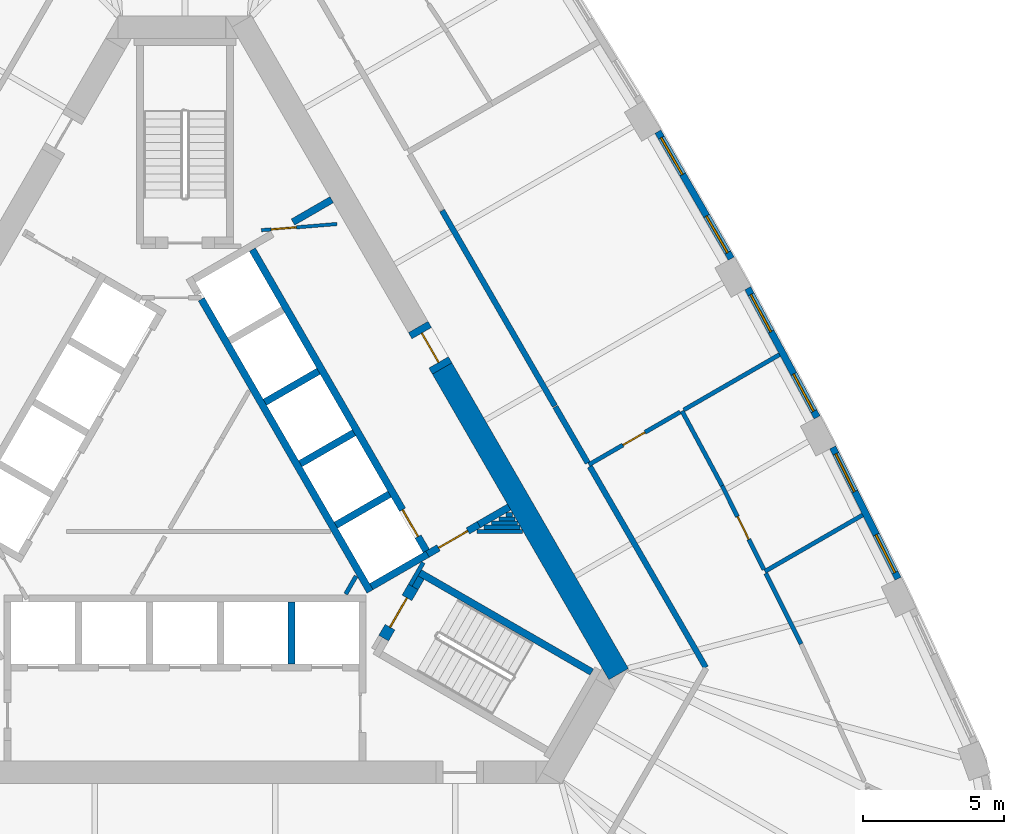
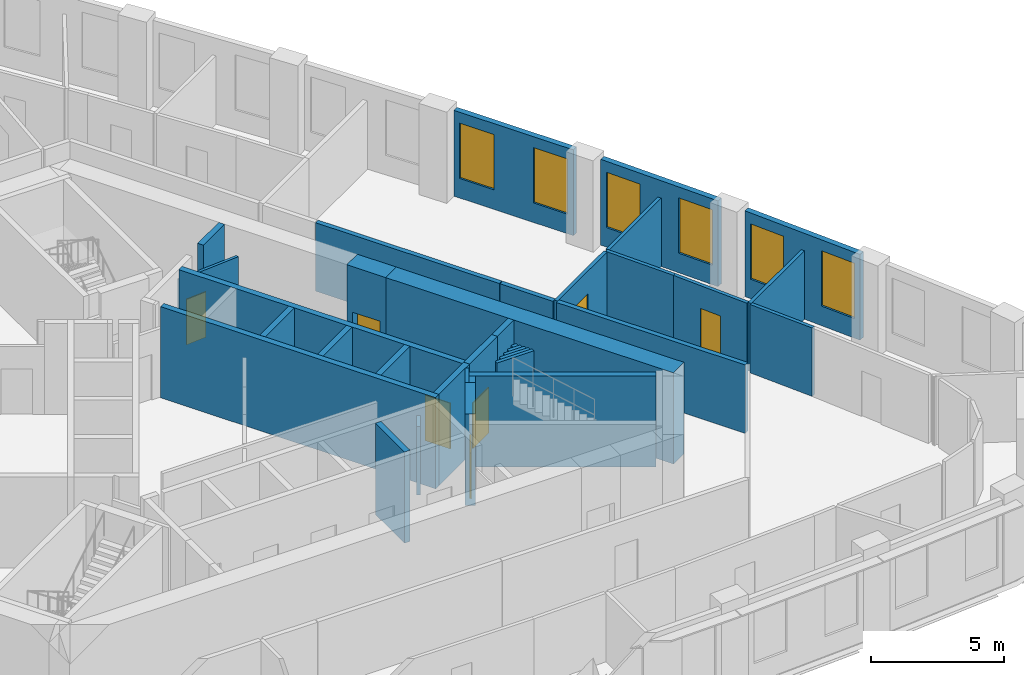
# One storey, part 8 of 11: 35 walls, 7 doors, 6 windows, 13 openings.
"""IFC4 building model written with IfcOpenShell, lengths in metres."""

from ifc_helpers import new_model, si_unit, direction, frame, frame_2d, origin, place, context, subcontext, project, spatial, rectangle, extrude, material, layer, layer_set, type_object, element, fill, save


model = new_model("IFC4")

# Units and contexts
model_context = context("Model", 3, precision=1e-05, world=origin(), true_north=direction((0.0, 1.0)))
body_context = subcontext(model_context, "Body", "Model", "MODEL_VIEW")
ifc_project = project(units=[si_unit("LENGTHUNIT", "METRE"), si_unit("AREAUNIT", "SQUARE_METRE"), si_unit("VOLUMEUNIT", "CUBIC_METRE"), si_unit("PLANEANGLEUNIT", "RADIAN"), si_unit("MASSUNIT", "GRAM", prefix="KILO")], contexts=[model_context])

# Site, building, storey
site_placement = place(None, origin())
site = spatial("IfcSite", under=ifc_project, at=site_placement, CompositionType="ELEMENT")
building_placement = place(site_placement, origin())
building = spatial("IfcBuilding", under=site, at=building_placement, Name="Mestral Congress Tower", CompositionType="ELEMENT")
storey_placement = place(building_placement, frame((0.0, 0.0, 175.199951171875)))
storey = spatial("IfcBuildingStorey", under=building, at=storey_placement, Name="L41", CompositionType="ELEMENT", Elevation=175.199951171875)

# Walls
ifc_material_1 = material(Name="Fire-rated board partition")
ifc_layer_1 = layer(ifc_material_1, 0.14990234375)
ifc_layer_set_1 = layer_set([ifc_layer_1], Name="Fire-rated board partition")
wall_type_1 = type_object("IfcWallType", Name="Core partition 150", PredefinedType="PARTITIONING", material=ifc_layer_set_1)
wall_1_placement = place(storey_placement, frame((10.3623046875, -1.5, 0.0), z_axis=(0.0, 0.0, 1.0), x_axis=(1.0, 0.0, 0.0)))
element("IfcWall", 1, at=wall_1_placement, inside=storey, type_object=wall_type_1, Name="L41 core wall", PredefinedType="PARTITIONING", context=body_context, shape_type="SweptSolid", body=[
    extrude(rectangle(XDim=1.60986328125, YDim=0.14990234375, at=frame_2d((0.804931640625, 0.0))), origin(), (0.0, 0.0, 1.0), 3.150146484375),
])
wall_2_placement = place(storey_placement, frame((10.6220703125, -1.35009765625, 0.0), z_axis=(0.0, 0.0, 1.0), x_axis=(1.0, 0.0, 0.0)))
element("IfcWall", 2, at=wall_2_placement, inside=storey, type_object=wall_type_1, Name="L41 core wall", PredefinedType="PARTITIONING", context=body_context, shape_type="SweptSolid", body=[
    extrude(rectangle(XDim=1.263427734375, YDim=0.14990234375, at=frame_2d((0.6318359375, 0.0))), origin(), (0.0, 0.0, 1.0), 3.150146484375),
])
wall_3_placement = place(storey_placement, frame((10.881591796875, -1.199951171875, 0.0), z_axis=(0.0, 0.0, 1.0), x_axis=(1.0, 0.0, 0.0)))
element("IfcWall", 3, at=wall_3_placement, inside=storey, type_object=wall_type_1, Name="L41 core wall", PredefinedType="PARTITIONING", context=body_context, shape_type="SweptSolid", body=[
    extrude(rectangle(XDim=0.91748046875, YDim=0.14990234375, at=frame_2d((0.458740234375, 0.0))), origin(), (0.0, 0.0, 1.0), 3.150146484375),
])
wall_4_placement = place(storey_placement, frame((11.71240234375, -1.050048828125, 0.0), z_axis=(0.0, 0.0, 1.0), x_axis=(-1.0, 0.0, 0.0)))
element("IfcWall", 4, at=wall_4_placement, inside=storey, type_object=wall_type_1, Name="L41 core wall", PredefinedType="PARTITIONING", context=body_context, shape_type="SweptSolid", body=[
    extrude(rectangle(XDim=0.57080078125, YDim=0.14990234375, at=frame_2d((0.285400390625, 0.0))), origin(), (0.0, 0.0, 1.0), 3.150146484375),
])
wall_5_placement = place(storey_placement, frame((11.4013671875, -0.89990234375, 0.0), z_axis=(0.0, 0.0, 1.0), x_axis=(1.0, 0.0, 0.0)))
element("IfcWall", 5, at=wall_5_placement, inside=storey, type_object=wall_type_1, Name="L41 core wall", PredefinedType="PARTITIONING", context=body_context, shape_type="SweptSolid", body=[
    extrude(rectangle(XDim=0.224365234375, YDim=0.14990234375, at=frame_2d((0.1123046875, 0.0))), origin(), (0.0, 0.0, 1.0), 3.150146484375),
])
wall_6_placement = place(storey_placement, frame((5.704833984375, -3.718017578125, 0.0), z_axis=(0.0, 0.0, 1.0), x_axis=(0.499962090823, 0.866047289552, 0.0)))
element("IfcWall", 6, at=wall_6_placement, inside=storey, type_object=wall_type_1, Name="L41 core wall", PredefinedType="PARTITIONING", context=body_context, shape_type="SweptSolid", body=[
    extrude(rectangle(XDim=0.73486328125, YDim=0.14990234375, at=frame_2d((0.367431640625, 0.0))), origin(), (0.0, 0.0, 1.0), 3.150146484375),
])

# Wall, opening, door
ifc_layer_2 = layer(ifc_material_1, 0.1201171875)
ifc_layer_set_2 = layer_set([ifc_layer_2], Name="Fire-rated board partition")
wall_type_2 = type_object("IfcWallType", Name="Core partition 150 door-wall 120", PredefinedType="PARTITIONING", material=ifc_layer_set_2)
wall_7_placement = place(storey_placement, frame((5.3984375, 9.418701171875, 0.0), z_axis=(0.0, 0.0, 1.0), x_axis=(-0.996653416376, -0.081743303248, 0.0)))
wall_7 = element("IfcWall", 7, at=wall_7_placement, inside=storey, type_object=wall_type_2, Name="L41 door wall", PredefinedType="PARTITIONING", context=body_context, shape_type="SweptSolid", body=[
    extrude(rectangle(XDim=2.699951171875, YDim=0.119873046875, at=frame_2d((1.35009765625, 0.0))), origin(), (0.0, 0.0, 1.0), 3.150146484375),
])
opening_1_placement = place(wall_7_placement, frame((1.449951171875, 0.0, 0.0)))
opening_1 = element("IfcOpeningElement", 8, at=opening_1_placement, cuts=wall_7, Name="Opening TD2", PredefinedType="OPENING", context=body_context, shape_type="SweptSolid", body=[
    extrude(rectangle(XDim=0.89990234375, YDim=2.10009765625, at=frame_2d((0.449951171875, 1.050048828125))), frame((0.0, 0.06982421875, 0.0), z_axis=(0.0, -1.0, 0.0), x_axis=(1.0, 0.0, 0.0)), (0.0, 0.0, 1.0), 0.139892578125),
])
ifc_material_2 = material(Name="Fire-rated steel door set", Category="steel")
door_type_1 = type_object("IfcDoorType", Name="Core door SR 900x2100", OperationType="SINGLE_SWING_LEFT", PredefinedType="DOOR", material=ifc_material_2)
door_1_placement = place(opening_1_placement, origin())
door_1 = element("IfcDoor", 9, at=door_1_placement, inside=storey, type_object=door_type_1, Name="Door TD2", OperationType="SINGLE_SWING_LEFT", OverallHeight=2.10009765625, OverallWidth=0.89990234375, PredefinedType="DOOR", context=body_context, shape_type="SweptSolid", body=[
    extrude(rectangle(XDim=0.89990234375, YDim=2.10009765625, at=frame_2d((0.449951171875, 1.050048828125))), frame((0.0, 0.02490234375, 0.0), z_axis=(0.0, -1.0, 0.0), x_axis=(1.0, 0.0, 0.0)), (0.0, 0.0, 1.0), 0.050048828125),
])
fill(opening_1, door_1)

# Wall
ifc_material_3 = material(Name="Concrete C60/75", Category="concrete")
ifc_layer_3 = layer(ifc_material_3, 0.800048828125)
ifc_layer_set_3 = layer_set([ifc_layer_3], Name="Concrete C60/75")
wall_type_3 = type_object("IfcWallType", Name="Core wall RC 800", PredefinedType="SOLIDWALL", material=ifc_layer_set_3)
wall_8_placement = place(storey_placement, frame((9.128662109375, 4.288818359375, 0.0), z_axis=(0.0, 0.0, 1.0), x_axis=(0.499995742806, -0.866027861663, 0.0)))
element("IfcWall", 10, at=wall_8_placement, inside=storey, type_object=wall_type_3, Name="L41 core wall", PredefinedType="SOLIDWALL", context=body_context, shape_type="SweptSolid", body=[
    extrude(rectangle(XDim=12.52734375, YDim=0.800048828125, at=frame_2d((6.263671875, 0.0))), origin(), (0.0, 0.0, 1.0), 4.199951171875),
])

# Wall, opening, door
wall_9_placement = place(storey_placement, frame((8.278564453125, 5.760986328125, 0.0), z_axis=(0.0, 0.0, 1.0), x_axis=(0.500062241894, -0.865989465428, 0.0)))
wall_9 = element("IfcWall", 11, at=wall_9_placement, inside=storey, type_object=wall_type_3, Name="L41 door wall", PredefinedType="SOLIDWALL", context=body_context, shape_type="SweptSolid", body=[
    extrude(rectangle(XDim=1.699951171875, YDim=0.800048828125, at=frame_2d((0.85009765625, 0.0))), origin(), (0.0, 0.0, 1.0), 4.199951171875),
])
opening_2_placement = place(wall_9_placement, frame((0.25, 0.0, 0.0)))
opening_2 = element("IfcOpeningElement", 12, at=opening_2_placement, cuts=wall_9, Name="Opening XDL", PredefinedType="OPENING", context=body_context, shape_type="SweptSolid", body=[
    extrude(rectangle(XDim=1.199951171875, YDim=2.10009765625, at=frame_2d((0.60009765625, 1.050048828125))), frame((0.0, 0.409912109375, 0.0), z_axis=(0.0, -1.0, 0.0), x_axis=(1.0, 0.0, 0.0)), (0.0, 0.0, 1.0), 0.820068359375),
])
door_type_2 = type_object("IfcDoorType", Name="Core door XD 1200x2100", OperationType="SINGLE_SWING_LEFT", PredefinedType="DOOR", material=ifc_material_2)
door_2_placement = place(opening_2_placement, origin())
door_2 = element("IfcDoor", 13, at=door_2_placement, inside=storey, type_object=door_type_2, Name="Door XDL", OperationType="SINGLE_SWING_LEFT", OverallHeight=2.10009765625, OverallWidth=1.199951171875, PredefinedType="DOOR", context=body_context, shape_type="SweptSolid", body=[
    extrude(rectangle(XDim=1.199951171875, YDim=2.10009765625, at=frame_2d((0.60009765625, 1.050048828125))), frame((0.0, 0.02490234375, 0.0), z_axis=(0.0, -1.0, 0.0), x_axis=(1.0, 0.0, 0.0)), (0.0, 0.0, 1.0), 0.050048828125),
])
fill(opening_2, door_2)

# Wall, openings, windows
ifc_material_4 = material(Name="Precast concrete C40/50 with limestone facing", Category="masonry")
ifc_layer_4 = layer(ifc_material_4, 0.239990234375)
ifc_layer_set_4 = layer_set([ifc_layer_4], Name="Precast concrete C40/50 with limestone facing")
wall_type_4 = type_object("IfcWallType", Name="Facade stone wall 240", PredefinedType="SOLIDWALL", material=ifc_layer_set_4)
wall_10_placement = place(storey_placement, frame((25.31591796875, -3.17138671875, 0.0), z_axis=(0.0, 0.0, 1.0), x_axis=(-0.446256171312, 0.8949052629, 0.0)))
wall_10 = element("IfcWall", 14, at=wall_10_placement, inside=storey, type_object=wall_type_4, Name="Facade wall F1-01", PredefinedType="SOLIDWALL", context=body_context, shape_type="SweptSolid", body=[
    extrude(rectangle(XDim=5.203369140625, YDim=0.239990234375, at=frame_2d((2.6015625, 0.0))), origin(), (0.0, 0.0, 1.0), 3.949951171875),
])
opening_3_placement = place(wall_10_placement, frame((0.248291015625, 0.0, 0.89990234375)))
opening_3 = element("IfcOpeningElement", 15, at=opening_3_placement, cuts=wall_10, Name="Opening W4", PredefinedType="OPENING", context=body_context, shape_type="SweptSolid", body=[
    extrude(rectangle(XDim=1.5, YDim=2.550048828125, at=frame_2d((0.75, 1.27490234375))), frame((0.0, 0.1298828125, 0.0), z_axis=(0.0, -1.0, 0.0), x_axis=(1.0, 0.0, 0.0)), (0.0, 0.0, 1.0), 0.260009765625),
])
opening_4_placement = place(wall_10_placement, frame((3.455078125, 0.0, 0.89990234375)))
opening_4 = element("IfcOpeningElement", 16, at=opening_4_placement, cuts=wall_10, Name="Opening W4", PredefinedType="OPENING", context=body_context, shape_type="SweptSolid", body=[
    extrude(rectangle(XDim=1.5, YDim=2.550048828125, at=frame_2d((0.75, 1.27490234375))), frame((0.0, 0.1298828125, 0.0), z_axis=(0.0, -1.0, 0.0), x_axis=(1.0, 0.0, 0.0)), (0.0, 0.0, 1.0), 0.260009765625),
])
ifc_material_5 = material(Name="Clear low-emissivity double glazing", Category="glass")
window_type = type_object("IfcWindowType", Name="Facade punched window 1500 x 2550 sill 900", PartitioningType="SINGLE_PANEL", PredefinedType="WINDOW", material=ifc_material_5)
window_1_placement = place(opening_3_placement, origin())
window_1 = element("IfcWindow", 17, at=window_1_placement, inside=storey, type_object=window_type, Name="Window F1-01a", OverallHeight=2.550048828125, OverallWidth=1.5, PartitioningType="SINGLE_PANEL", PredefinedType="WINDOW", context=body_context, shape_type="SweptSolid", body=[
    extrude(rectangle(XDim=1.5, YDim=2.550048828125, at=frame_2d((0.75, 1.27490234375))), frame((0.0, 0.0400390625, 0.0), z_axis=(0.0, -1.0, 0.0), x_axis=(1.0, 0.0, 0.0)), (0.0, 0.0, 1.0), 0.06005859375),
])
fill(opening_3, window_1)
window_2_placement = place(opening_4_placement, origin())
window_2 = element("IfcWindow", 18, at=window_2_placement, inside=storey, type_object=window_type, Name="Window F1-01b", OverallHeight=2.550048828125, OverallWidth=1.5, PartitioningType="SINGLE_PANEL", PredefinedType="WINDOW", context=body_context, shape_type="SweptSolid", body=[
    extrude(rectangle(XDim=1.5, YDim=2.550048828125, at=frame_2d((0.75, 1.27490234375))), frame((0.0, 0.0400390625, 0.0), z_axis=(0.0, -1.0, 0.0), x_axis=(1.0, 0.0, 0.0)), (0.0, 0.0, 1.0), 0.06005859375),
])
fill(opening_4, window_2)

wall_11_placement = place(storey_placement, frame((22.43994140625, 2.554931640625, 0.0), z_axis=(0.0, 0.0, 1.0), x_axis=(-0.473349833294, 0.880874528704, 0.0)))
wall_11 = element("IfcWall", 19, at=wall_11_placement, inside=storey, type_object=wall_type_4, Name="Facade wall F1-02", PredefinedType="SOLIDWALL", context=body_context, shape_type="SweptSolid", body=[
    extrude(rectangle(XDim=5.20361328125, YDim=0.239990234375, at=frame_2d((2.601806640625, 0.0))), origin(), (0.0, 0.0, 1.0), 3.949951171875),
])
opening_5_placement = place(wall_11_placement, frame((0.248291015625, 0.0, 0.89990234375)))
opening_5 = element("IfcOpeningElement", 20, at=opening_5_placement, cuts=wall_11, Name="Opening W4", PredefinedType="OPENING", context=body_context, shape_type="SweptSolid", body=[
    extrude(rectangle(XDim=1.5, YDim=2.550048828125, at=frame_2d((0.75, 1.27490234375))), frame((0.0, 0.1298828125, 0.0), z_axis=(0.0, -1.0, 0.0), x_axis=(1.0, 0.0, 0.0)), (0.0, 0.0, 1.0), 0.260009765625),
])
opening_6_placement = place(wall_11_placement, frame((3.455078125, 0.0, 0.89990234375)))
opening_6 = element("IfcOpeningElement", 21, at=opening_6_placement, cuts=wall_11, Name="Opening W4", PredefinedType="OPENING", context=body_context, shape_type="SweptSolid", body=[
    extrude(rectangle(XDim=1.5, YDim=2.550048828125, at=frame_2d((0.75, 1.27490234375))), frame((0.0, 0.1298828125, 0.0), z_axis=(0.0, -1.0, 0.0), x_axis=(1.0, 0.0, 0.0)), (0.0, 0.0, 1.0), 0.260009765625),
])
window_3_placement = place(opening_5_placement, origin())
window_3 = element("IfcWindow", 22, at=window_3_placement, inside=storey, type_object=window_type, Name="Window F1-02a", OverallHeight=2.550048828125, OverallWidth=1.5, PartitioningType="SINGLE_PANEL", PredefinedType="WINDOW", context=body_context, shape_type="SweptSolid", body=[
    extrude(rectangle(XDim=1.5, YDim=2.550048828125, at=frame_2d((0.75, 1.27490234375))), frame((0.0, 0.0400390625, 0.0), z_axis=(0.0, -1.0, 0.0), x_axis=(1.0, 0.0, 0.0)), (0.0, 0.0, 1.0), 0.06005859375),
])
fill(opening_5, window_3)
window_4_placement = place(opening_6_placement, origin())
window_4 = element("IfcWindow", 23, at=window_4_placement, inside=storey, type_object=window_type, Name="Window F1-02b", OverallHeight=2.550048828125, OverallWidth=1.5, PartitioningType="SINGLE_PANEL", PredefinedType="WINDOW", context=body_context, shape_type="SweptSolid", body=[
    extrude(rectangle(XDim=1.5, YDim=2.550048828125, at=frame_2d((0.75, 1.27490234375))), frame((0.0, 0.0400390625, 0.0), z_axis=(0.0, -1.0, 0.0), x_axis=(1.0, 0.0, 0.0)), (0.0, 0.0, 1.0), 0.06005859375),
])
fill(opening_6, window_4)

wall_12_placement = place(storey_placement, frame((19.390625, 8.19091796875, 0.0), z_axis=(0.0, 0.0, 1.0), x_axis=(-0.500009456303, 0.866019944116, 0.0)))
wall_12 = element("IfcWall", 24, at=wall_12_placement, inside=storey, type_object=wall_type_4, Name="Facade wall F1-03", PredefinedType="SOLIDWALL", context=body_context, shape_type="SweptSolid", body=[
    extrude(rectangle(XDim=5.20361328125, YDim=0.239990234375, at=frame_2d((2.601806640625, 0.0))), origin(), (0.0, 0.0, 1.0), 3.949951171875),
])
opening_7_placement = place(wall_12_placement, frame((0.248291015625, 0.0, 0.89990234375)))
opening_7 = element("IfcOpeningElement", 25, at=opening_7_placement, cuts=wall_12, Name="Opening W4", PredefinedType="OPENING", context=body_context, shape_type="SweptSolid", body=[
    extrude(rectangle(XDim=1.5, YDim=2.550048828125, at=frame_2d((0.75, 1.27490234375))), frame((0.0, 0.1298828125, 0.0), z_axis=(0.0, -1.0, 0.0), x_axis=(1.0, 0.0, 0.0)), (0.0, 0.0, 1.0), 0.260009765625),
])
opening_8_placement = place(wall_12_placement, frame((3.455078125, 0.0, 0.89990234375)))
opening_8 = element("IfcOpeningElement", 26, at=opening_8_placement, cuts=wall_12, Name="Opening W4", PredefinedType="OPENING", context=body_context, shape_type="SweptSolid", body=[
    extrude(rectangle(XDim=1.5, YDim=2.550048828125, at=frame_2d((0.75, 1.27490234375))), frame((0.0, 0.1298828125, 0.0), z_axis=(0.0, -1.0, 0.0), x_axis=(1.0, 0.0, 0.0)), (0.0, 0.0, 1.0), 0.260009765625),
])
window_5_placement = place(opening_7_placement, origin())
window_5 = element("IfcWindow", 27, at=window_5_placement, inside=storey, type_object=window_type, Name="Window F1-03a", OverallHeight=2.550048828125, OverallWidth=1.5, PartitioningType="SINGLE_PANEL", PredefinedType="WINDOW", context=body_context, shape_type="SweptSolid", body=[
    extrude(rectangle(XDim=1.5, YDim=2.550048828125, at=frame_2d((0.75, 1.27490234375))), frame((0.0, 0.0400390625, 0.0), z_axis=(0.0, -1.0, 0.0), x_axis=(1.0, 0.0, 0.0)), (0.0, 0.0, 1.0), 0.06005859375),
])
fill(opening_7, window_5)
window_6_placement = place(opening_8_placement, origin())
window_6 = element("IfcWindow", 28, at=window_6_placement, inside=storey, type_object=window_type, Name="Window F1-03b", OverallHeight=2.550048828125, OverallWidth=1.5, PartitioningType="SINGLE_PANEL", PredefinedType="WINDOW", context=body_context, shape_type="SweptSolid", body=[
    extrude(rectangle(XDim=1.5, YDim=2.550048828125, at=frame_2d((0.75, 1.27490234375))), frame((0.0, 0.0400390625, 0.0), z_axis=(0.0, -1.0, 0.0), x_axis=(1.0, 0.0, 0.0)), (0.0, 0.0, 1.0), 0.06005859375),
])
fill(opening_8, window_6)

# Walls
ifc_material_6 = material(Name="Plasterboard partition on steel studs", Category="steel")
ifc_layer_5 = layer(ifc_material_6, 0.14990234375)
ifc_layer_set_5 = layer_set([ifc_layer_5], Name="Plasterboard partition on steel studs")
wall_type_5 = type_object("IfcWallType", Name="Office partition 150", PredefinedType="PARTITIONING", material=ifc_layer_set_5)
wall_13_placement = place(storey_placement, frame((20.584716796875, -2.916259765625, 0.0), z_axis=(0.0, 0.0, 1.0), x_axis=(0.866041532296, 0.499972063559, 0.0)))
element("IfcWall", 29, at=wall_13_placement, inside=storey, type_object=wall_type_5, Name="Partition", PredefinedType="PARTITIONING", context=body_context, shape_type="SweptSolid", body=[
    extrude(rectangle(XDim=4.007568359375, YDim=0.14990234375, at=frame_2d((2.00390625, 0.0))), origin(), (0.0, 0.0, 1.0), 3.150146484375),
])
wall_14_placement = place(storey_placement, frame((21.869384765625, -5.492919921875, 0.0), z_axis=(0.0, 0.0, 1.0), x_axis=(-0.446168399468, 0.894949026099, 0.0)))
element("IfcWall", 30, at=wall_14_placement, inside=storey, type_object=wall_type_5, Name="Partition", PredefinedType="PARTITIONING", context=body_context, shape_type="SweptSolid", body=[
    extrude(rectangle(XDim=2.8037109375, YDim=0.14990234375, at=frame_2d((1.40185546875, 0.0))), origin(), (0.0, 0.0, 1.0), 3.150146484375),
])

# Wall, opening, door
wall_15_placement = place(storey_placement, frame((19.066162109375, 0.12939453125, 0.0), z_axis=(0.0, 0.0, 1.0), x_axis=(0.446215695511, -0.894925445543, 0.0)))
wall_15 = element("IfcWall", 31, at=wall_15_placement, inside=storey, type_object=wall_type_5, Name="Partition", PredefinedType="PARTITIONING", context=body_context, shape_type="SweptSolid", body=[
    extrude(rectangle(XDim=3.328125, YDim=0.14990234375, at=frame_2d((1.6640625, 0.0))), origin(), (0.0, 0.0, 1.0), 3.150146484375),
])
opening_9_placement = place(wall_15_placement, frame((1.228271484375, 0.0, 0.0)))
opening_9 = element("IfcOpeningElement", 32, at=opening_9_placement, cuts=wall_15, Name="Opening O03-006", PredefinedType="OPENING", context=body_context, shape_type="SweptSolid", body=[
    extrude(rectangle(XDim=0.89990234375, YDim=2.10009765625, at=frame_2d((0.449951171875, 1.050048828125))), frame((0.0, 0.0849609375, 0.0), z_axis=(0.0, -1.0, 0.0), x_axis=(1.0, 0.0, 0.0)), (0.0, 0.0, 1.0), 0.169921875),
])
ifc_material_7 = material(Name="Timber door set", Category="wood")
door_type_3 = type_object("IfcDoorType", Name="Office door 900x2100", OperationType="SINGLE_SWING_LEFT", PredefinedType="DOOR", material=ifc_material_7)
door_3_placement = place(opening_9_placement, origin())
door_3 = element("IfcDoor", 33, at=door_3_placement, inside=storey, type_object=door_type_3, Name="Door O03-006", OperationType="SINGLE_SWING_RIGHT", OverallHeight=2.10009765625, OverallWidth=0.89990234375, PredefinedType="DOOR", context=body_context, shape_type="SweptSolid", body=[
    extrude(rectangle(XDim=0.89990234375, YDim=2.10009765625, at=frame_2d((0.449951171875, 1.050048828125))), frame((0.0, 0.02490234375, 0.0), z_axis=(0.0, -1.0, 0.0), x_axis=(1.0, 0.0, 0.0)), (0.0, 0.0, 1.0), 0.050048828125),
])
fill(opening_9, door_3)

# Walls
wall_16_placement = place(storey_placement, frame((19.066162109375, 0.12939453125, 0.0), z_axis=(0.0, 0.0, 1.0), x_axis=(-0.473359743891, 0.88086920304, 0.0)))
element("IfcWall", 34, at=wall_16_placement, inside=storey, type_object=wall_type_5, Name="Partition", PredefinedType="PARTITIONING", context=body_context, shape_type="SweptSolid", body=[
    extrude(rectangle(XDim=3.010498046875, YDim=0.14990234375, at=frame_2d((1.50537109375, 0.0))), origin(), (0.0, 0.0, 1.0), 3.150146484375),
])
wall_17_placement = place(storey_placement, frame((17.706298828125, 2.818603515625, 0.0), z_axis=(0.0, 0.0, 1.0), x_axis=(0.866023031919, 0.500004108169, 0.0)))
element("IfcWall", 35, at=wall_17_placement, inside=storey, type_object=wall_type_5, Name="Partition", PredefinedType="PARTITIONING", context=body_context, shape_type="SweptSolid", body=[
    extrude(rectangle(XDim=3.9267578125, YDim=0.14990234375, at=frame_2d((1.96337890625, 0.0))), origin(), (0.0, 0.0, 1.0), 3.150146484375),
])

# Wall, opening, door
wall_18_placement = place(storey_placement, frame((14.33447265625, 0.8720703125, 0.0), z_axis=(0.0, 0.0, 1.0), x_axis=(0.866027010039, 0.499997217876, 0.0)))
wall_18 = element("IfcWall", 36, at=wall_18_placement, inside=storey, type_object=wall_type_5, Name="Partition", PredefinedType="PARTITIONING", context=body_context, shape_type="SweptSolid", body=[
    extrude(rectangle(XDim=3.7431640625, YDim=0.14990234375, at=frame_2d((1.87158203125, 0.0))), origin(), (0.0, 0.0, 1.0), 3.150146484375),
])
opening_10_placement = place(wall_18_placement, frame((1.39990234375, 0.0, 0.0)))
opening_10 = element("IfcOpeningElement", 37, at=opening_10_placement, cuts=wall_18, Name="Opening O03-008", PredefinedType="OPENING", context=body_context, shape_type="SweptSolid", body=[
    extrude(rectangle(XDim=0.89990234375, YDim=2.10009765625, at=frame_2d((0.449951171875, 1.050048828125))), frame((0.0, 0.0849609375, 0.0), z_axis=(0.0, -1.0, 0.0), x_axis=(1.0, 0.0, 0.0)), (0.0, 0.0, 1.0), 0.169921875),
])
door_4_placement = place(opening_10_placement, origin())
door_4 = element("IfcDoor", 38, at=door_4_placement, inside=storey, type_object=door_type_3, Name="Door O03-008", OperationType="SINGLE_SWING_LEFT", OverallHeight=2.10009765625, OverallWidth=0.89990234375, PredefinedType="DOOR", context=body_context, shape_type="SweptSolid", body=[
    extrude(rectangle(XDim=0.89990234375, YDim=2.10009765625, at=frame_2d((0.449951171875, 1.050048828125))), frame((0.0, 0.02490234375, 0.0), z_axis=(0.0, -1.0, 0.0), x_axis=(1.0, 0.0, 0.0)), (0.0, 0.0, 1.0), 0.050048828125),
])
fill(opening_10, door_4)

# Walls
ifc_material_8 = material(Name="Dense masonry wall, plastered", Category="masonry")
ifc_layer_6 = layer(ifc_material_8, 0.199951171875)
ifc_layer_set_6 = layer_set([ifc_layer_6], Name="Dense masonry wall, plastered")
wall_type_6 = type_object("IfcWallType", Name="Office tenancy wall 200", PredefinedType="PARTITIONING", material=ifc_layer_set_6)
wall_19_placement = place(storey_placement, frame((18.489013671875, -6.323974609375, 0.0), z_axis=(0.0, 0.0, 1.0), x_axis=(-0.500003913404, 0.866023144368, 0.0)))
element("IfcWall", 39, at=wall_19_placement, inside=storey, type_object=wall_type_6, Name="Tenancy wall", PredefinedType="PARTITIONING", context=body_context, shape_type="SweptSolid", body=[
    extrude(rectangle(XDim=8.234375, YDim=0.199951171875, at=frame_2d((4.1171875, 0.0))), origin(), (0.0, 0.0, 1.0), 3.150146484375),
])
wall_20_placement = place(storey_placement, frame((13.13037109375, 2.95751953125, 0.0), z_axis=(0.0, 0.0, 1.0), x_axis=(-0.499995158272, 0.866028199139, 0.0)))
element("IfcWall", 40, at=wall_20_placement, inside=storey, type_object=wall_type_6, Name="Tenancy wall", PredefinedType="PARTITIONING", context=body_context, shape_type="SweptSolid", body=[
    extrude(rectangle(XDim=8.0078125, YDim=0.199951171875, at=frame_2d((4.00390625, 0.0))), origin(), (0.0, 0.0, 1.0), 3.150146484375),
])
wall_21_placement = place(storey_placement, frame((14.296875, 0.93701171875, 0.0), z_axis=(0.0, 0.0, 1.0), x_axis=(-0.499970234539, 0.866042588199, 0.0)))
element("IfcWall", 41, at=wall_21_placement, inside=storey, type_object=wall_type_6, Name="Tenancy wall", PredefinedType="PARTITIONING", context=body_context, shape_type="SweptSolid", body=[
    extrude(rectangle(XDim=2.302978515625, YDim=0.199951171875, at=frame_2d((1.1513671875, 0.0))), origin(), (0.0, 0.0, 1.0), 3.150146484375),
])
ifc_layer_7 = layer(ifc_material_3, 0.25)
ifc_layer_set_7 = layer_set([ifc_layer_7], Name="Concrete C60/75")
wall_type_7 = type_object("IfcWallType", Name="Shaft wall RC 250", PredefinedType="SOLIDWALL", material=ifc_layer_set_7)
wall_22_placement = place(storey_placement, frame((3.780029296875, -4.0, 0.0), z_axis=(0.0, 0.0, 1.0), x_axis=(0.0, -1.0, 0.0)))
element("IfcWall", 42, at=wall_22_placement, inside=storey, type_object=wall_type_7, Name="L41 core wall", PredefinedType="SOLIDWALL", context=body_context, shape_type="SweptSolid", body=[
    extrude(rectangle(XDim=2.199951171875, YDim=0.25, at=frame_2d((1.10009765625, 0.0))), origin(), (0.0, 0.0, 1.0), 4.199951171875),
])
wall_23_placement = place(storey_placement, frame((11.507080078125, -0.631103515625, 0.0), z_axis=(0.0, 0.0, 1.0), x_axis=(-0.866025525965, -0.499999788377, 0.0)))
element("IfcWall", 43, at=wall_23_placement, inside=storey, type_object=wall_type_7, Name="L41 core wall", PredefinedType="SOLIDWALL", context=body_context, shape_type="SweptSolid", body=[
    extrude(rectangle(XDim=1.24462890625, YDim=0.25, at=frame_2d((0.622314453125, 0.0))), origin(), (0.0, 0.0, 1.0), 4.199951171875),
])
wall_24_placement = place(storey_placement, frame((6.568359375, -3.626708984375, 0.0), z_axis=(0.0, 0.0, 1.0), x_axis=(-0.499999455981, 0.866025717874, 0.0)))
element("IfcWall", 44, at=wall_24_placement, inside=storey, type_object=wall_type_7, Name="L41 core wall", PredefinedType="SOLIDWALL", context=body_context, shape_type="SweptSolid", body=[
    extrude(rectangle(XDim=11.97802734375, YDim=0.25, at=frame_2d((5.989013671875, 0.0))), origin(), (0.0, 0.0, 1.0), 4.199951171875),
])
for number, where, z_axis, x_axis, name in (
    (45, (2.833984375, 3.091064453125, 0.0), (0.0, 0.0, 1.0), (0.866008176907, 0.50002983664, 0.0), "L41 core wall"),
    (46, (4.093994140625, 0.90869140625, 0.0), (0.0, 0.0, 1.0), (0.866008176907, 0.50002983664, 0.0), "L41 core wall"),
    (47, (5.35400390625, -1.273681640625, 0.0), (0.0, 0.0, 1.0), (0.866008176907, 0.50002983664, 0.0), "L41 core wall"),
):
    element("IfcWall", number, at=place(storey_placement, frame(where, z_axis=z_axis, x_axis=x_axis)), inside=storey, type_object=wall_type_7, Name=name, PredefinedType="SOLIDWALL", context=body_context, shape_type="SweptSolid", body=[
        extrude(rectangle(XDim=2.199951171875, YDim=0.25, at=frame_2d((1.10009765625, 0.0))), origin(), (0.0, 0.0, 1.0), 4.199951171875),
    ])
wall_25_placement = place(storey_placement, frame((6.614013671875, -3.4560546875, 0.0), z_axis=(0.0, 0.0, 1.0), x_axis=(0.866025089694, 0.500000544019, 0.0)))
element("IfcWall", 48, at=wall_25_placement, inside=storey, type_object=wall_type_7, Name="L41 core wall", PredefinedType="SOLIDWALL", context=body_context, shape_type="SweptSolid", body=[
    extrude(rectangle(XDim=2.30517578125, YDim=0.25, at=frame_2d((1.152587890625, 0.0))), origin(), (0.0, 0.0, 1.0), 4.199951171875),
])
wall_26_placement = place(storey_placement, frame((3.82958984375, 9.485595703125, 0.0), z_axis=(0.0, 0.0, 1.0), x_axis=(0.865986202621, 0.500067892261, 0.0)))
element("IfcWall", 49, at=wall_26_placement, inside=storey, type_object=wall_type_7, Name="L41 core wall", PredefinedType="SOLIDWALL", context=body_context, shape_type="SweptSolid", body=[
    extrude(rectangle(XDim=1.590576171875, YDim=0.25, at=frame_2d((0.79541015625, 0.0))), origin(), (0.0, 0.0, 1.0), 4.199951171875),
])

# Wall, opening, door
wall_27_placement = place(storey_placement, frame((8.565185546875, -2.185302734375, 0.0), z_axis=(0.0, 0.0, 1.0), x_axis=(-0.499997954832, 0.866026584559, 0.0)))
wall_27 = element("IfcWall", 50, at=wall_27_placement, inside=storey, type_object=wall_type_7, Name="L41 door wall", PredefinedType="SOLIDWALL", context=body_context, shape_type="SweptSolid", body=[
    extrude(rectangle(XDim=12.35009765625, YDim=0.25, at=frame_2d((6.175048828125, 0.0))), origin(), (0.0, 0.0, 1.0), 4.199951171875),
])
opening_11_placement = place(wall_27_placement, frame((0.5849609375, 0.0, 0.0)))
opening_11 = element("IfcOpeningElement", 51, at=opening_11_placement, cuts=wall_27, Name="Opening LD-NEB1", PredefinedType="OPENING", context=body_context, shape_type="SweptSolid", body=[
    extrude(rectangle(XDim=1.10009765625, YDim=2.10009765625, at=frame_2d((0.550048828125, 1.050048828125))), frame((0.0, 0.135009765625, 0.0), z_axis=(0.0, -1.0, 0.0), x_axis=(1.0, 0.0, 0.0)), (0.0, 0.0, 1.0), 0.27001953125),
])
door_type_4 = type_object("IfcDoorType", Name="Core door LD 1100x2100", OperationType="DOUBLE_DOOR_SLIDING", PredefinedType="DOOR", material=ifc_material_2)
door_5_placement = place(opening_11_placement, origin())
door_5 = element("IfcDoor", 52, at=door_5_placement, inside=storey, type_object=door_type_4, Name="Door LD-NEB1", OperationType="DOUBLE_DOOR_SLIDING", OverallHeight=2.10009765625, OverallWidth=1.10009765625, PredefinedType="DOOR", context=body_context, shape_type="SweptSolid", body=[
    extrude(rectangle(XDim=1.10009765625, YDim=2.10009765625, at=frame_2d((0.550048828125, 1.050048828125))), frame((0.0, 0.02490234375, 0.0), z_axis=(0.0, -1.0, 0.0), x_axis=(1.0, 0.0, 0.0)), (0.0, 0.0, 1.0), 0.050048828125),
])
fill(opening_11, door_5)

wall_28_placement = place(storey_placement, frame((10.42919921875, -1.25341796875, 0.0), z_axis=(0.0, 0.0, 1.0), x_axis=(-0.866009402589, -0.500027713859, 0.0)))
wall_28 = element("IfcWall", 53, at=wall_28_placement, inside=storey, type_object=wall_type_7, Name="L41 door wall", PredefinedType="SOLIDWALL", context=body_context, shape_type="SweptSolid", body=[
    extrude(rectangle(XDim=2.10009765625, YDim=0.25, at=frame_2d((1.050048828125, 0.0))), origin(), (0.0, 0.0, 1.0), 4.199951171875),
])
opening_12_placement = place(wall_28_placement, frame((0.449951171875, 0.0, 0.0)))
opening_12 = element("IfcOpeningElement", 54, at=opening_12_placement, cuts=wall_28, Name="Opening LB1-PX10", PredefinedType="OPENING", context=body_context, shape_type="SweptSolid", body=[
    extrude(rectangle(XDim=1.199951171875, YDim=2.10009765625, at=frame_2d((0.60009765625, 1.050048828125))), frame((0.0, 0.135009765625, 0.0), z_axis=(0.0, -1.0, 0.0), x_axis=(1.0, 0.0, 0.0)), (0.0, 0.0, 1.0), 0.27001953125),
])
door_type_5 = type_object("IfcDoorType", Name="Core door LB 1200x2100", OperationType="SINGLE_SWING_LEFT", PredefinedType="DOOR", material=ifc_material_2)
door_6_placement = place(opening_12_placement, origin())
door_6 = element("IfcDoor", 55, at=door_6_placement, inside=storey, type_object=door_type_5, Name="Door LB1-PX10", OperationType="SINGLE_SWING_LEFT", OverallHeight=2.10009765625, OverallWidth=1.199951171875, PredefinedType="DOOR", context=body_context, shape_type="SweptSolid", body=[
    extrude(rectangle(XDim=1.199951171875, YDim=2.10009765625, at=frame_2d((0.60009765625, 1.050048828125))), frame((0.0, 0.02490234375, 0.0), z_axis=(0.0, -1.0, 0.0), x_axis=(1.0, 0.0, 0.0)), (0.0, 0.0, 1.0), 0.050048828125),
])
fill(opening_12, door_6)

# Walls
ifc_layer_8 = layer(ifc_material_3, 0.14990234375)
ifc_layer_set_8 = layer_set([ifc_layer_8], Name="Concrete C60/75")
wall_type_8 = type_object("IfcWallType", Name="Shaft wall RC 250 door-wall 150", PredefinedType="SOLIDWALL", material=ifc_layer_set_8)
wall_29_placement = place(storey_placement, frame((8.459228515625, -2.59912109375, 0.0), z_axis=(0.0, 0.0, 1.0), x_axis=(-0.500041054325, -0.866001699761, 0.0)))
element("IfcWall", 56, at=wall_29_placement, inside=storey, type_object=wall_type_8, Name="L41 core wall", PredefinedType="PARTITIONING", context=body_context, shape_type="SweptSolid", body=[
    extrude(rectangle(XDim=0.9287109375, YDim=0.14990234375, at=frame_2d((0.46435546875, 0.0))), origin(), (0.0, 0.0, 1.0), 4.199951171875),
])
ifc_layer_9 = layer(ifc_material_3, 0.25)
ifc_layer_set_9 = layer_set([ifc_layer_9], Name="Concrete C60/75")
wall_type_9 = type_object("IfcWallType", Name="Stair wall RC 250", PredefinedType="SOLIDWALL", material=ifc_layer_set_9)
wall_30_placement = place(storey_placement, frame((8.33447265625, -2.96435546875, 0.0), z_axis=(0.0, 0.0, 1.0), x_axis=(0.866016039709, -0.500016218704, 0.0)))
element("IfcWall", 57, at=wall_30_placement, inside=storey, type_object=wall_type_9, Name="L41 core wall", PredefinedType="SOLIDWALL", context=body_context, shape_type="SweptSolid", body=[
    extrude(rectangle(XDim=7.050048828125, YDim=0.25, at=frame_2d((3.52490234375, 0.0))), origin(), (0.0, 0.0, 1.0), 4.199951171875),
])
wall_31_placement = place(storey_placement, frame((8.167724609375, -3.503173828125, 0.0), z_axis=(0.0, 0.0, 1.0), x_axis=(0.49972245349, 0.866185586049, 0.0)))
element("IfcWall", 58, at=wall_31_placement, inside=storey, type_object=wall_type_9, Name="L41 core wall", PredefinedType="SOLIDWALL", context=body_context, shape_type="SweptSolid", body=[
    extrude(rectangle(XDim=0.425048828125, YDim=0.25, at=frame_2d((0.21240234375, 0.0))), origin(), (0.0, 0.0, 1.0), 4.199951171875),
])

# Wall, opening, door
ifc_layer_10 = layer(ifc_material_3, 0.39990234375)
ifc_layer_set_10 = layer_set([ifc_layer_10], Name="Concrete C60/75")
wall_type_10 = type_object("IfcWallType", Name="Stair wall RC 250 door-wall 400", PredefinedType="SOLIDWALL", material=ifc_layer_set_10)
wall_32_placement = place(storey_placement, frame((7.052734375, -5.2841796875, 0.0), z_axis=(0.0, 0.0, 1.0), x_axis=(0.500078061341, 0.865980330357, 0.0)))
wall_32 = element("IfcWall", 59, at=wall_32_placement, inside=storey, type_object=wall_type_10, Name="L41 door wall", PredefinedType="SOLIDWALL", context=body_context, shape_type="SweptSolid", body=[
    extrude(rectangle(XDim=2.099853515625, YDim=0.39990234375, at=frame_2d((1.0498046875, 0.0))), origin(), (0.0, 0.0, 1.0), 4.199951171875),
])
opening_13_placement = place(wall_32_placement, frame((0.449951171875, 0.0, 0.0)))
opening_13 = element("IfcOpeningElement", 60, at=opening_13_placement, cuts=wall_32, Name="Opening ST-D1", PredefinedType="OPENING", context=body_context, shape_type="SweptSolid", body=[
    extrude(rectangle(XDim=1.199951171875, YDim=2.10009765625, at=frame_2d((0.60009765625, 1.050048828125))), frame((0.0, 0.2099609375, 0.0), z_axis=(0.0, -1.0, 0.0), x_axis=(1.0, 0.0, 0.0)), (0.0, 0.0, 1.0), 0.419921875),
])
door_type_6 = type_object("IfcDoorType", Name="Core door ST 1200x2100", OperationType="SINGLE_SWING_LEFT", PredefinedType="DOOR", material=ifc_material_2)
door_7_placement = place(opening_13_placement, origin())
door_7 = element("IfcDoor", 61, at=door_7_placement, inside=storey, type_object=door_type_6, Name="Door ST-D1", OperationType="SINGLE_SWING_LEFT", OverallHeight=2.10009765625, OverallWidth=1.199951171875, PredefinedType="DOOR", context=body_context, shape_type="SweptSolid", body=[
    extrude(rectangle(XDim=1.199951171875, YDim=2.10009765625, at=frame_2d((0.60009765625, 1.050048828125))), frame((0.0, 0.02490234375, 0.0), z_axis=(0.0, -1.0, 0.0), x_axis=(1.0, 0.0, 0.0)), (0.0, 0.0, 1.0), 0.050048828125),
])
fill(opening_13, door_7)

save(model, "model.ifc")
